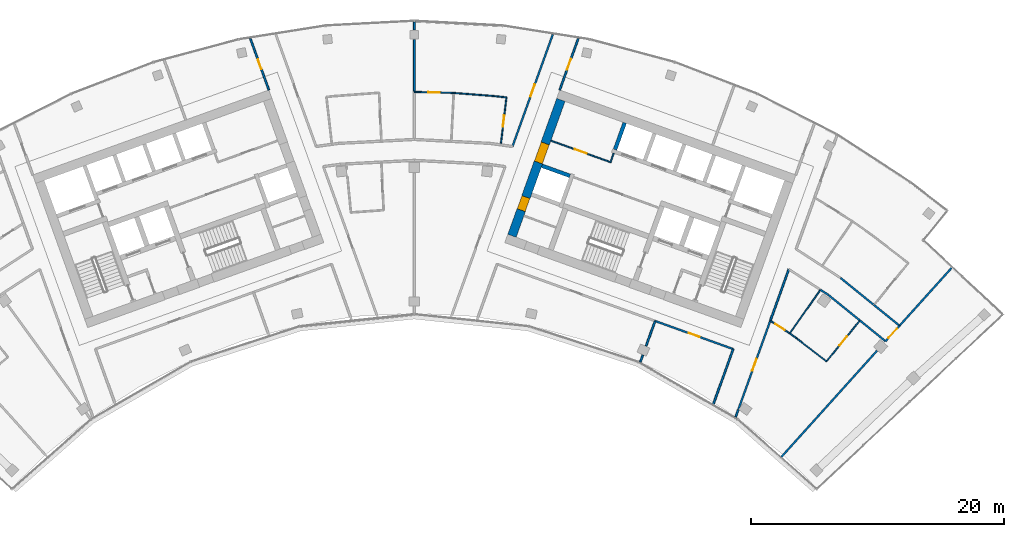
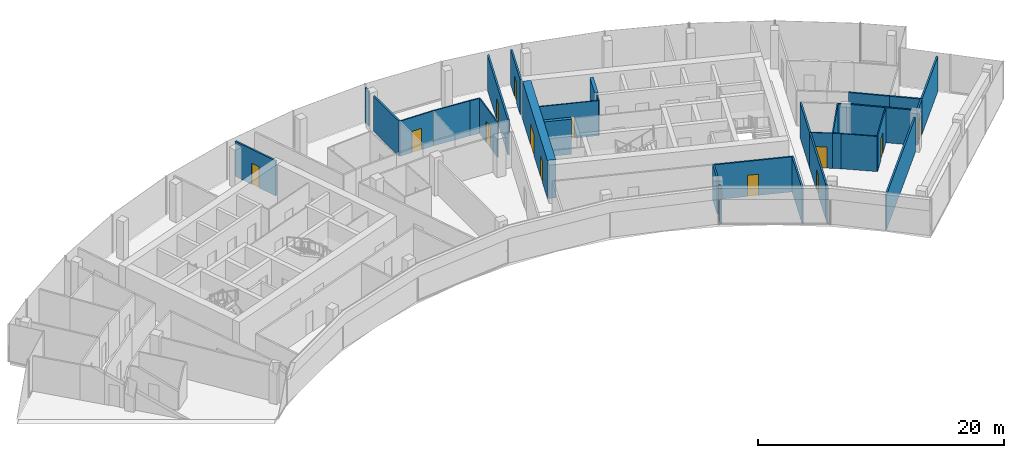
# One storey, part 15 of 18: 34 walls, 13 doors, 13 openings.
"""IFC4 building model written with IfcOpenShell, lengths in metres."""

import ifcopenshell
import ifcopenshell.guid

model = None  # the IFC model being written
_history = None  # IfcOwnerHistory: only IFC2X3 demands one
_inside = {}  # id of a spatial element -> (the spatial element, [elements in it])
_under = {}  # id of a project, library or spatial element -> (it, [spatial elements below it])
_declared = {}  # id of a project -> (the project, [libraries it declares])
_typed = {}  # id of a type object -> (the type object, [elements of that type])
_made_of = {}  # id of a material, layer set ... -> (it, [elements and type objects made of it])


def new_model(schema):
    """Start an empty IFC model of exactly this schema.

    Asked for "IFC4X3", IfcOpenShell would pick the latest addendum, in which some entities
    have other attributes; the version numbers below select the first issue.
    IFC2X3 requires an IfcOwnerHistory on every rooted entity: one is made here for all.
    """
    global model, _history
    if schema == "IFC4X3":
        model = ifcopenshell.file(schema_version=(4, 3, 0, 0))
    else:
        model = ifcopenshell.file(schema=schema)
    _inside.clear()
    _under.clear()
    _declared.clear()
    _typed.clear()
    _made_of.clear()
    _history = None
    if model.schema == "IFC2X3":
        org = make("IfcOrganization", Name="unknown")
        user = make(
            "IfcPersonAndOrganization",
            ThePerson=make("IfcPerson", FamilyName="unknown"),
            TheOrganization=org,
        )
        app = make(
            "IfcApplication",
            ApplicationDeveloper=org,
            Version="unknown",
            ApplicationFullName="unknown",
            ApplicationIdentifier="unknown",
        )
        _history = make(
            "IfcOwnerHistory",
            OwningUser=user,
            OwningApplication=app,
            ChangeAction="ADDED",
            CreationDate=0,
        )
    return model


def make(cls, **values):
    """One entity of the class cls with the attributes given. An attribute that is None is left unset."""
    return model.create_entity(
        cls, **{name: value for name, value in values.items() if value is not None}
    )


def rooted(cls, **values):
    """An entity with a GlobalId (a new one), such as an element, a storey or a relation."""
    return make(cls, GlobalId=ifcopenshell.guid.new(), OwnerHistory=_history, **values)


def si_unit(unit_type, name, prefix=None):
    """IfcSIUnit, for example si_unit("LENGTHUNIT", "METRE", prefix="MILLI")."""
    return make("IfcSIUnit", UnitType=unit_type, Prefix=prefix, Name=name)


def assignment(units):
    """IfcUnitAssignment: the units of a project."""
    return None if units is None else make("IfcUnitAssignment", Units=units)


def point(xyz):
    """IfcCartesianPoint."""
    return None if xyz is None else make("IfcCartesianPoint", Coordinates=xyz)


def direction(xyz):
    """IfcDirection."""
    return None if xyz is None else make("IfcDirection", DirectionRatios=xyz)


def frame(location, z_axis=None, x_axis=None):
    """IfcAxis2Placement3D, a coordinate frame: its origin and axes. An axis left out is left unset."""
    return make(
        "IfcAxis2Placement3D",
        Location=point(location),
        Axis=direction(z_axis),
        RefDirection=direction(x_axis),
    )


def frame_2d(location, x_axis=None):
    """IfcAxis2Placement2D, a coordinate frame in the plane: its origin and x axis."""
    return make(
        "IfcAxis2Placement2D", Location=point(location), RefDirection=direction(x_axis)
    )


def origin():
    """The frame at (0, 0, 0) with its axes left unset."""
    return frame((0.0, 0.0, 0.0))


def place(relative_to, where):
    """IfcLocalPlacement: puts the frame where relative to a parent placement (None: the world)."""
    return make(
        "IfcLocalPlacement", PlacementRelTo=relative_to, RelativePlacement=where
    )


def context(
    kind, dimensions, precision=None, world=None, true_north=None, identifier=None
):
    """IfcGeometricRepresentationContext, for example the 3D "Model" context."""
    return make(
        "IfcGeometricRepresentationContext",
        ContextIdentifier=identifier,
        ContextType=kind,
        CoordinateSpaceDimension=dimensions,
        Precision=precision,
        WorldCoordinateSystem=world,
        TrueNorth=true_north,
    )


def subcontext(parent, identifier, kind, view, scale=None):
    """IfcGeometricRepresentationSubContext, for example "Body" below "Model"."""
    return make(
        "IfcGeometricRepresentationSubContext",
        ContextIdentifier=identifier,
        ContextType=kind,
        ParentContext=parent,
        TargetScale=scale,
        TargetView=view,
    )


def project(units=None, contexts=None):
    """IfcProject with its units and contexts."""
    return rooted(
        "IfcProject",
        Name="project",
        RepresentationContexts=contexts,
        UnitsInContext=assignment(units),
    )


def spatial(cls, under=None, at=None, **own):
    """A site, building, storey or space (cls), placed at a placement, below another one or the project."""
    s = rooted(cls, ObjectPlacement=at, **own)
    if under is not None:
        _under.setdefault(under.id(), (under, []))[1].append(s)
    return s


def profile(cls, at=None, kind="AREA", **sizes):
    """A parametric profile (cls). Its sizes go by their IFC names, for example OverallWidth=200.0."""
    return make(cls, ProfileType=kind, Position=at, **sizes)


def rectangle(**sizes):
    """IfcRectangleProfileDef."""
    return profile("IfcRectangleProfileDef", **sizes)


def extrude(swept, where, along, depth):
    """IfcExtrudedAreaSolid: the profile swept, set in the frame where, extruded along a direction by depth."""
    return make(
        "IfcExtrudedAreaSolid",
        SweptArea=swept,
        Position=where,
        ExtrudedDirection=direction(along),
        Depth=depth,
    )


def shape(context_of_items, identifier, shape_type, items):
    """IfcShapeRepresentation: the items that make up one representation, for example the "Body"."""
    return make(
        "IfcShapeRepresentation",
        ContextOfItems=context_of_items,
        RepresentationIdentifier=identifier,
        RepresentationType=shape_type,
        Items=items,
    )


def material(Name=None, Category=None):
    """IfcMaterial."""
    return make("IfcMaterial", Name=Name, Category=Category)


def layer(
    of_material, thickness, ventilated=None, Name=None, Category=None, Priority=None
):
    """IfcMaterialLayer: one layer of a wall or slab, of a material (None: an air gap)."""
    return make(
        "IfcMaterialLayer",
        Material=of_material,
        LayerThickness=thickness,
        IsVentilated=ventilated,
        Name=Name,
        Category=Category,
        Priority=Priority,
    )


def layer_set(layers, Name=None):
    """IfcMaterialLayerSet."""
    return make("IfcMaterialLayerSet", MaterialLayers=layers, LayerSetName=Name)


def made_of(thing, what):
    """Note that an element or type object is made of a material, layer set ...; save() writes the relation."""
    if what is not None:
        _made_of.setdefault(what.id(), (what, []))[1].append(thing)
    return thing


def type_object(cls, material=None, **own):
    """A type object (cls), such as IfcWallType, which elements share."""
    return made_of(rooted(cls, **own), material)


def element(
    cls,
    number,
    at=None,
    inside=None,
    cuts=None,
    type_object=None,
    material=None,
    context=None,
    identifier="Body",
    shape_type=None,
    held_by="IfcProductDefinitionShape",
    body=None,
    shapes=None,
    **own,
):
    """One element of the class cls, such as IfcWall. Its Tag is "e" and its number.

    at: its placement. inside: the storey or other place that contains it. cuts: it is an
    opening in that element (IfcRelVoidsElement). A single representation is given by context,
    identifier, shape_type and body (its items); several are given by shapes. held_by: the class
    of the entity that holds the representations. save() writes the other relations.
    """
    e = rooted(cls, Tag="e%d" % number, ObjectPlacement=at, **own)
    if body is not None:
        shapes = [shape(context, identifier, shape_type, body)]
    if shapes is not None:
        e.Representation = make(held_by, Representations=shapes)
    if inside is not None:
        _inside.setdefault(inside.id(), (inside, []))[1].append(e)
    if cuts is not None:
        rooted(
            "IfcRelVoidsElement", RelatingBuildingElement=cuts, RelatedOpeningElement=e
        )
    if type_object is not None:
        _typed.setdefault(type_object.id(), (type_object, []))[1].append(e)
    return made_of(e, material)


def fill(opening, filler):
    """IfcRelFillsElement: the door or window that sits in an opening."""
    return rooted(
        "IfcRelFillsElement",
        RelatingOpeningElement=opening,
        RelatedBuildingElement=filler,
    )


def aggregate(whole, parts):
    """IfcRelAggregates: a whole, such as a stair, and the parts it consists of."""
    return rooted("IfcRelAggregates", RelatingObject=whole, RelatedObjects=parts)


def save(model, path):
    """Write the relations noted so far, then the file.

    IfcRelAggregates (storeys below a building ...), IfcRelContainedInSpatialStructure (elements
    in a storey), IfcRelDefinesByType, IfcRelAssociatesMaterial and IfcRelDeclares: one each for
    every whole, place, type object, material and project.
    """
    for whole, parts in _under.values():
        aggregate(whole, parts)
    for where, things in _inside.values():
        rooted(
            "IfcRelContainedInSpatialStructure",
            RelatedElements=things,
            RelatingStructure=where,
        )
    for kind, things in _typed.values():
        rooted("IfcRelDefinesByType", RelatedObjects=things, RelatingType=kind)
    for what, things in _made_of.values():
        rooted("IfcRelAssociatesMaterial", RelatedObjects=things, RelatingMaterial=what)
    for by, libraries in _declared.values():
        rooted("IfcRelDeclares", RelatingContext=by, RelatedDefinitions=libraries)
    model.write(path)


model = new_model("IFC4")

# Units and contexts
model_context = context("Model", 3, precision=1e-05, world=origin(), true_north=direction((0.0, 1.0)))
body_context = subcontext(model_context, "Body", "Model", "MODEL_VIEW")
ifc_project = project(units=[si_unit("LENGTHUNIT", "METRE"), si_unit("AREAUNIT", "SQUARE_METRE"), si_unit("VOLUMEUNIT", "CUBIC_METRE"), si_unit("PLANEANGLEUNIT", "RADIAN"), si_unit("MASSUNIT", "GRAM", prefix="KILO")], contexts=[model_context])

# Site, building, storey
site_placement = place(None, origin())
site = spatial("IfcSite", under=ifc_project, at=site_placement, CompositionType="ELEMENT")
building_placement = place(site_placement, origin())
building = spatial("IfcBuilding", under=site, at=building_placement, Name="Stone Belt Terrace Tower", CompositionType="ELEMENT")
storey_placement = place(building_placement, frame((0.0, 0.0, 288.39990234375)))
storey = spatial("IfcBuildingStorey", under=building, at=storey_placement, Name="L70", CompositionType="ELEMENT", Elevation=288.39990234375)

# Wall
ifc_material_1 = material(Name="Plasterboard partition")
ifc_layer_1 = layer(ifc_material_1, 0.10009765625)
ifc_layer_set_1 = layer_set([ifc_layer_1], Name="Core partition 100")
wall_type_1 = type_object("IfcWallType", Name="Core partition 100", PredefinedType="PARTITIONING", material=ifc_layer_set_1)
wall_1_placement = place(storey_placement, frame((15.46826171875, 55.384033203125, 0.0), z_axis=(0.0, 0.0, 1.0), x_axis=(0.338481684961, 0.940972979923, 0.0)))
element("IfcWall", 1, at=wall_1_placement, inside=storey, type_object=wall_type_1, Name="Core B wall", PredefinedType="PARTITIONING", context=body_context, shape_type="SweptSolid", body=[
    extrude(rectangle(XDim=0.7998046875, YDim=0.10009765625, at=frame_2d((0.39990234375, 0.0))), origin(), (0.0, 0.0, 1.0), 3.47998046875),
])

# Wall, opening, door
wall_2_placement = place(storey_placement, frame((15.43798828125, 55.447998046875, 0.0), z_axis=(0.0, 0.0, 1.0), x_axis=(-0.940914445113, 0.338644366522, 0.0)))
wall_2 = element("IfcWall", 2, at=wall_2_placement, inside=storey, type_object=wall_type_1, Name="Core B wall", PredefinedType="PARTITIONING", context=body_context, shape_type="SweptSolid", body=[
    extrude(rectangle(XDim=4.949951171875, YDim=0.10009765625, at=frame_2d((2.47509765625, 0.0))), origin(), (0.0, 0.0, 1.0), 3.47998046875),
])
opening_1_placement = place(wall_2_placement, frame((1.949951171875, 0.0, 0.0)))
opening_1 = element("IfcOpeningElement", 3, at=opening_1_placement, cuts=wall_2, Name="Opening L70-C12", PredefinedType="OPENING", context=body_context, shape_type="SweptSolid", body=[
    extrude(rectangle(XDim=1.0, YDim=2.10009765625, at=frame_2d((0.5, 1.050048828125))), frame((0.0, 0.06005859375, 0.0), z_axis=(0.0, -1.0, 0.0), x_axis=(1.0, 0.0, 0.0)), (0.0, 0.0, 1.0), 0.1201171875),
])
ifc_material_2 = material(Name="Timber door leaf", Category="wood")
door_type_1 = type_object("IfcDoorType", Name="Core room door 1000", OperationType="SINGLE_SWING_LEFT", PredefinedType="DOOR", material=ifc_material_2)
door_1_placement = place(opening_1_placement, origin())
door_1 = element("IfcDoor", 4, at=door_1_placement, inside=storey, type_object=door_type_1, Name="Door to Server room core B", OperationType="SINGLE_SWING_LEFT", OverallHeight=2.10009765625, OverallWidth=1.0, PredefinedType="DOOR", context=body_context, shape_type="SweptSolid", body=[
    extrude(rectangle(XDim=1.0, YDim=2.10009765625, at=frame_2d((0.5, 1.050048828125))), frame((0.0, 0.02490234375, 0.0), z_axis=(0.0, -1.0, 0.0), x_axis=(1.0, 0.0, 0.0)), (0.0, 0.0, 1.0), 0.050048828125),
])
fill(opening_1, door_1)

# Wall, openings, doors
ifc_material_3 = material(Name="Concrete B60", Category="concrete")
ifc_layer_2 = layer(ifc_material_3, 0.699951171875)
ifc_layer_set_2 = layer_set([ifc_layer_2], Name="Core wall 700 B60")
wall_type_2 = type_object("IfcWallType", Name="Core wall 700 B60", PredefinedType="SHEAR", material=ifc_layer_set_2)
wall_3_placement = place(storey_placement, frame((7.70849609375, 49.621337890625, 0.0), z_axis=(0.0, 0.0, 1.0), x_axis=(0.338606471282, 0.940928083121, 0.0)))
wall_3 = element("IfcWall", 5, at=wall_3_placement, inside=storey, type_object=wall_type_2, Name="Core B wall end_a L70", PredefinedType="SHEAR", context=body_context, shape_type="SweptSolid", body=[
    extrude(rectangle(XDim=11.39990234375, YDim=0.699951171875, at=frame_2d((5.699951171875, 0.0))), origin(), (0.0, 0.0, 1.0), 3.800048828125),
])
opening_2_placement = place(wall_3_placement, frame((6.14990234375, 0.0, 0.0)))
opening_2 = element("IfcOpeningElement", 6, at=opening_2_placement, cuts=wall_3, Name="Opening L70-C15", PredefinedType="OPENING", context=body_context, shape_type="SweptSolid", body=[
    extrude(rectangle(XDim=1.60009765625, YDim=2.10009765625, at=frame_2d((0.800048828125, 1.050048828125))), frame((0.0, 0.35986328125, 0.0), z_axis=(0.0, -1.0, 0.0), x_axis=(1.0, 0.0, 0.0)), (0.0, 0.0, 1.0), 0.719970703125),
])
opening_3_placement = place(wall_3_placement, frame((2.14990234375, 0.0, 0.0)))
opening_3 = element("IfcOpeningElement", 7, at=opening_3_placement, cuts=wall_3, Name="Opening L70-C21", PredefinedType="OPENING", context=body_context, shape_type="SweptSolid", body=[
    extrude(rectangle(XDim=1.10009765625, YDim=2.10009765625, at=frame_2d((0.550048828125, 1.050048828125))), frame((0.0, 0.35986328125, 0.0), z_axis=(0.0, -1.0, 0.0), x_axis=(1.0, 0.0, 0.0)), (0.0, 0.0, 1.0), 0.719970703125),
])
door_type_2 = type_object("IfcDoorType", Name="Core room door 1100", OperationType="SINGLE_SWING_LEFT", PredefinedType="DOOR", material=ifc_material_2)
door_2_placement = place(opening_3_placement, origin())
door_2 = element("IfcDoor", 8, at=door_2_placement, inside=storey, type_object=door_type_2, Name="Door to Accessible WC core B", OperationType="SINGLE_SWING_RIGHT", OverallHeight=2.10009765625, OverallWidth=1.10009765625, PredefinedType="DOOR", context=body_context, shape_type="SweptSolid", body=[
    extrude(rectangle(XDim=1.10009765625, YDim=2.10009765625, at=frame_2d((0.550048828125, 1.050048828125))), frame((0.0, 0.330078125, 0.0), z_axis=(0.0, -1.0, 0.0), x_axis=(1.0, 0.0, 0.0)), (0.0, 0.0, 1.0), 0.659912109375),
])
fill(opening_3, door_2)
ifc_material_4 = material(Name="Glazed aluminium door leaf", Category="aluminium")
door_type_3 = type_object("IfcDoorType", Name="Lift lobby entrance door 1600", OperationType="DOUBLE_DOOR_SINGLE_SWING", PredefinedType="DOOR", material=ifc_material_4)
door_3_placement = place(opening_2_placement, origin())
door_3 = element("IfcDoor", 9, at=door_3_placement, inside=storey, type_object=door_type_3, Name="Lift lobby entrance door core B", OperationType="DOUBLE_DOOR_SINGLE_SWING", OverallHeight=2.10009765625, OverallWidth=1.60009765625, PredefinedType="DOOR", context=body_context, shape_type="SweptSolid", body=[
    extrude(rectangle(XDim=1.60009765625, YDim=2.10009765625, at=frame_2d((0.800048828125, 1.050048828125))), frame((0.0, 0.330078125, 0.0), z_axis=(0.0, -1.0, 0.0), x_axis=(1.0, 0.0, 0.0)), (0.0, 0.0, 1.0), 0.659912109375),
])
fill(opening_2, door_3)

# Walls
ifc_material_5 = material(Name="Concrete B80", Category="concrete")
ifc_layer_3 = layer(ifc_material_5, 0.300048828125)
ifc_layer_set_3 = layer_set([ifc_layer_3], Name="Lift shaft wall 300")
wall_type_3 = type_object("IfcWallType", Name="Lift shaft wall 300", PredefinedType="SHEAR", material=ifc_layer_set_3)
wall_4_placement = place(storey_placement, frame((15.8408203125, 56.419189453125, 0.0), z_axis=(0.0, 0.0, 1.0), x_axis=(0.338569601369, 0.940941350472, 0.0)))
element("IfcWall", 10, at=wall_4_placement, inside=storey, type_object=wall_type_3, Name="Core B wall", PredefinedType="SHEAR", context=body_context, shape_type="SweptSolid", body=[
    extrude(rectangle(XDim=2.249755859375, YDim=0.300048828125, at=frame_2d((1.125, 0.0))), origin(), (0.0, 0.0, 1.0), 3.47998046875),
])
wall_5_placement = place(storey_placement, frame((12.280517578125, 54.3525390625, 0.0), z_axis=(0.0, 0.0, 1.0), x_axis=(-0.940925816745, 0.338612769078, 0.0)))
element("IfcWall", 11, at=wall_5_placement, inside=storey, type_object=wall_type_3, Name="Core B wall", PredefinedType="SHEAR", context=body_context, shape_type="SweptSolid", body=[
    extrude(rectangle(XDim=2.349853515625, YDim=0.300048828125, at=frame_2d((1.1748046875, 0.0))), origin(), (0.0, 0.0, 1.0), 3.47998046875),
])

# Wall, opening, door
ifc_material_6 = material(Name="Gypsum board partition")
ifc_layer_4 = layer(ifc_material_6, 0.10009765625)
ifc_layer_set_4 = layer_set([ifc_layer_4], Name="PARTITION 100")
wall_type_4 = type_object("IfcWallType", Name="PARTITION 100", PredefinedType="PARTITIONING", material=ifc_layer_set_4)
wall_6_placement = place(storey_placement, frame((28.093017578125, 42.9208984375, 0.0), z_axis=(0.0, 0.0, 1.0), x_axis=(0.836665899721, -0.547713585958, 0.0)))
wall_6 = element("IfcWall", 12, at=wall_6_placement, inside=storey, type_object=wall_type_4, Name="L70/wall/i069", PredefinedType="PARTITIONING", context=body_context, shape_type="SweptSolid", body=[
    extrude(rectangle(XDim=1.82763671875, YDim=0.10009765625, at=frame_2d((0.913818359375, 0.0))), origin(), (0.0, 0.0, 1.0), 3.47998046875),
])
opening_4_placement = place(wall_6_placement, frame((0.4638671875, 0.0, 0.0)))
opening_4 = element("IfcOpeningElement", 13, at=opening_4_placement, cuts=wall_6, Name="Opening D-E3-19", PredefinedType="OPENING", context=body_context, shape_type="SweptSolid", body=[
    extrude(rectangle(XDim=0.89990234375, YDim=2.10009765625, at=frame_2d((0.449951171875, 1.050048828125))), frame((0.0, 0.06005859375, 0.0), z_axis=(0.0, -1.0, 0.0), x_axis=(1.0, 0.0, 0.0)), (0.0, 0.0, 1.0), 0.1201171875),
])
door_type_4 = type_object("IfcDoorType", Name="OFFICE DOOR 900 X 2100", OperationType="NOTDEFINED", PredefinedType="DOOR", material=ifc_material_2)
door_4_placement = place(opening_4_placement, origin())
door_4 = element("IfcDoor", 14, at=door_4_placement, inside=storey, type_object=door_type_4, Name="L70/door/i19", OperationType="SINGLE_SWING_RIGHT", OverallHeight=2.10009765625, OverallWidth=0.89990234375, PredefinedType="DOOR", context=body_context, shape_type="SweptSolid", body=[
    extrude(rectangle(XDim=0.89990234375, YDim=2.10009765625, at=frame_2d((0.449951171875, 1.050048828125))), frame((0.0, 0.02490234375, 0.0), z_axis=(0.0, -1.0, 0.0), x_axis=(1.0, 0.0, 0.0)), (0.0, 0.0, 1.0), 0.050048828125),
])
fill(opening_4, door_4)

# Walls
wall_7_placement = place(storey_placement, frame((29.6220703125, 41.919921875, 0.0), z_axis=(0.0, 0.0, 1.0), x_axis=(0.813170941338, -0.582024930878, 0.0)))
element("IfcWall", 15, at=wall_7_placement, inside=storey, type_object=wall_type_4, Name="L70/wall/i070", PredefinedType="PARTITIONING", context=body_context, shape_type="SweptSolid", body=[
    extrude(rectangle(XDim=0.6748046875, YDim=0.10009765625, at=frame_2d((0.33740234375, 0.0))), origin(), (0.0, 0.0, 1.0), 3.47998046875),
])
wall_8_placement = place(storey_placement, frame((30.1708984375, 41.527099609375, 0.0), z_axis=(0.0, 0.0, 1.0), x_axis=(0.791624473006, -0.611007932631, 0.0)))
element("IfcWall", 16, at=wall_8_placement, inside=storey, type_object=wall_type_4, Name="L70/wall/i071", PredefinedType="PARTITIONING", context=body_context, shape_type="SweptSolid", body=[
    extrude(rectangle(XDim=2.972412109375, YDim=0.10009765625, at=frame_2d((1.486328125, 0.0))), origin(), (0.0, 0.0, 1.0), 3.47998046875),
])

# Wall, opening, door
wall_9_placement = place(storey_placement, frame((32.52392578125, 39.7109375, 0.0), z_axis=(0.0, 0.0, 1.0), x_axis=(0.633607556463, 0.7736546157, 0.0)))
wall_9 = element("IfcWall", 17, at=wall_9_placement, inside=storey, type_object=wall_type_4, Name="L70/wall/i072", PredefinedType="PARTITIONING", context=body_context, shape_type="SweptSolid", body=[
    extrude(rectangle(XDim=4.169921875, YDim=0.10009765625, at=frame_2d((2.0849609375, 0.0))), origin(), (0.0, 0.0, 1.0), 3.47998046875),
])
opening_5_placement = place(wall_9_placement, frame((1.635009765625, 0.0, 0.0)))
opening_5 = element("IfcOpeningElement", 18, at=opening_5_placement, cuts=wall_9, Name="Opening D-E3-20", PredefinedType="OPENING", context=body_context, shape_type="SweptSolid", body=[
    extrude(rectangle(XDim=0.89990234375, YDim=2.10009765625, at=frame_2d((0.449951171875, 1.050048828125))), frame((0.0, 0.06005859375, 0.0), z_axis=(0.0, -1.0, 0.0), x_axis=(1.0, 0.0, 0.0)), (0.0, 0.0, 1.0), 0.1201171875),
])
door_5_placement = place(opening_5_placement, origin())
door_5 = element("IfcDoor", 19, at=door_5_placement, inside=storey, type_object=door_type_4, Name="L70/door/i20", OperationType="SINGLE_SWING_RIGHT", OverallHeight=2.10009765625, OverallWidth=0.89990234375, PredefinedType="DOOR", context=body_context, shape_type="SweptSolid", body=[
    extrude(rectangle(XDim=0.89990234375, YDim=2.10009765625, at=frame_2d((0.449951171875, 1.050048828125))), frame((0.0, 0.02490234375, 0.0), z_axis=(0.0, -1.0, 0.0), x_axis=(1.0, 0.0, 0.0)), (0.0, 0.0, 1.0), 0.050048828125),
])
fill(opening_5, door_5)

# Wall
wall_10_placement = place(storey_placement, frame((32.052001953125, 45.35888671875, 0.0), z_axis=(0.0, 0.0, 1.0), x_axis=(-0.577067832251, -0.816696220746, 0.0)))
element("IfcWall", 20, at=wall_10_placement, inside=storey, type_object=wall_type_4, Name="L70/wall/i073", PredefinedType="PARTITIONING", context=body_context, shape_type="SweptSolid", body=[
    extrude(rectangle(XDim=4.2109375, YDim=0.10009765625, at=frame_2d((2.10546875, 0.0))), origin(), (0.0, 0.0, 1.0), 3.47998046875),
])

# Wall, opening, door
wall_11_placement = place(storey_placement, frame((3.111083984375, 60.89404296875, 0.0), z_axis=(0.0, 0.0, 1.0), x_axis=(-0.999678913183, 0.025339110803, 0.0)))
wall_11 = element("IfcWall", 21, at=wall_11_placement, inside=storey, type_object=wall_type_4, Name="L70/wall/i106", PredefinedType="PARTITIONING", context=body_context, shape_type="SweptSolid", body=[
    extrude(rectangle(XDim=3.112060546875, YDim=0.10009765625, at=frame_2d((1.55615234375, 0.0))), origin(), (0.0, 0.0, 1.0), 3.47998046875),
])
opening_6_placement = place(wall_11_placement, frame((1.10595703125, 0.0, 0.0)))
opening_6 = element("IfcOpeningElement", 22, at=opening_6_placement, cuts=wall_11, Name="Opening D-E3-30", PredefinedType="OPENING", context=body_context, shape_type="SweptSolid", body=[
    extrude(rectangle(XDim=0.89990234375, YDim=2.10009765625, at=frame_2d((0.449951171875, 1.050048828125))), frame((0.0, 0.06005859375, 0.0), z_axis=(0.0, -1.0, 0.0), x_axis=(1.0, 0.0, 0.0)), (0.0, 0.0, 1.0), 0.1201171875),
])
door_6_placement = place(opening_6_placement, origin())
door_6 = element("IfcDoor", 23, at=door_6_placement, inside=storey, type_object=door_type_4, Name="L70/door/i30", OperationType="SINGLE_SWING_RIGHT", OverallHeight=2.10009765625, OverallWidth=0.89990234375, PredefinedType="DOOR", context=body_context, shape_type="SweptSolid", body=[
    extrude(rectangle(XDim=0.89990234375, YDim=2.10009765625, at=frame_2d((0.449951171875, 1.050048828125))), frame((0.0, 0.02490234375, 0.0), z_axis=(0.0, -1.0, 0.0), x_axis=(1.0, 0.0, 0.0)), (0.0, 0.0, 1.0), 0.050048828125),
])
fill(opening_6, door_6)

wall_12_placement = place(storey_placement, frame((6.822998046875, 56.797119140625, 0.0), z_axis=(0.0, 0.0, 1.0), x_axis=(0.119160550979, 0.992874998724, 0.0)))
wall_12 = element("IfcWall", 24, at=wall_12_placement, inside=storey, type_object=wall_type_4, Name="L70/wall/i107", PredefinedType="PARTITIONING", context=body_context, shape_type="SweptSolid", body=[
    extrude(rectangle(XDim=3.767822265625, YDim=0.10009765625, at=frame_2d((1.8837890625, 0.0))), origin(), (0.0, 0.0, 1.0), 3.47998046875),
])
opening_7_placement = place(wall_12_placement, frame((1.433837890625, 0.0, 0.0)))
opening_7 = element("IfcOpeningElement", 25, at=opening_7_placement, cuts=wall_12, Name="Opening D-E3-31", PredefinedType="OPENING", context=body_context, shape_type="SweptSolid", body=[
    extrude(rectangle(XDim=0.89990234375, YDim=2.10009765625, at=frame_2d((0.449951171875, 1.050048828125))), frame((0.0, 0.06005859375, 0.0), z_axis=(0.0, -1.0, 0.0), x_axis=(1.0, 0.0, 0.0)), (0.0, 0.0, 1.0), 0.1201171875),
])
door_7_placement = place(opening_7_placement, origin())
door_7 = element("IfcDoor", 26, at=door_7_placement, inside=storey, type_object=door_type_4, Name="L70/door/i31", OperationType="SINGLE_SWING_RIGHT", OverallHeight=2.10009765625, OverallWidth=0.89990234375, PredefinedType="DOOR", context=body_context, shape_type="SweptSolid", body=[
    extrude(rectangle(XDim=0.89990234375, YDim=2.10009765625, at=frame_2d((0.449951171875, 1.050048828125))), frame((0.0, 0.02490234375, 0.0), z_axis=(0.0, -1.0, 0.0), x_axis=(1.0, 0.0, 0.0)), (0.0, 0.0, 1.0), 0.050048828125),
])
fill(opening_7, door_7)

# Walls
wall_13_placement = place(storey_placement, frame((7.27197265625, 60.5380859375, 0.0), z_axis=(0.0, 0.0, 1.0), x_axis=(-0.993767993103, 0.111468272991, 0.0)))
element("IfcWall", 27, at=wall_13_placement, inside=storey, type_object=wall_type_4, Name="L70/wall/i108", PredefinedType="PARTITIONING", context=body_context, shape_type="SweptSolid", body=[
    extrude(rectangle(XDim=0.904541015625, YDim=0.10009765625, at=frame_2d((0.4521484375, 0.0))), origin(), (0.0, 0.0, 1.0), 3.47998046875),
])
wall_14_placement = place(storey_placement, frame((6.373046875, 60.638916015625, 0.0), z_axis=(0.0, 0.0, 1.0), x_axis=(-0.996955347629, 0.077974578121, 0.0)))
element("IfcWall", 28, at=wall_14_placement, inside=storey, type_object=wall_type_4, Name="L70/wall/i109", PredefinedType="PARTITIONING", context=body_context, shape_type="SweptSolid", body=[
    extrude(rectangle(XDim=3.27197265625, YDim=0.10009765625, at=frame_2d((1.635986328125, 0.0))), origin(), (0.0, 0.0, 1.0), 3.47998046875),
])

# Wall, opening, door
ifc_layer_5 = layer(ifc_material_6, 0.14990234375)
ifc_layer_set_5 = layer_set([ifc_layer_5], Name="PARTITION 150 EI 60")
wall_type_5 = type_object("IfcWallType", Name="PARTITION 150 EI 60", PredefinedType="PARTITIONING", material=ifc_layer_set_5)
wall_15_placement = place(storey_placement, frame((-11.47607421875, 61.125, 0.0), z_axis=(0.0, 0.0, 1.0), x_axis=(-0.338707450319, 0.940891738245, 0.0)))
wall_15 = element("IfcWall", 29, at=wall_15_placement, inside=storey, type_object=wall_type_5, Name="L70/wall/i010", PredefinedType="PARTITIONING", context=body_context, shape_type="SweptSolid", body=[
    extrude(rectangle(XDim=4.316162109375, YDim=0.14990234375, at=frame_2d((2.158203125, 0.0))), origin(), (0.0, 0.0, 1.0), 3.47998046875),
])
opening_8_placement = place(wall_15_placement, frame((1.758056640625, 0.0, 0.0)))
opening_8 = element("IfcOpeningElement", 30, at=opening_8_placement, cuts=wall_15, Name="Opening D-E3-04", PredefinedType="OPENING", context=body_context, shape_type="SweptSolid", body=[
    extrude(rectangle(XDim=0.800048828125, YDim=2.10009765625, at=frame_2d((0.39990234375, 1.050048828125))), frame((0.0, 0.0849609375, 0.0), z_axis=(0.0, -1.0, 0.0), x_axis=(1.0, 0.0, 0.0)), (0.0, 0.0, 1.0), 0.169921875),
])
door_type_5 = type_object("IfcDoorType", Name="STORE DOOR 800 X 2100", OperationType="NOTDEFINED", PredefinedType="DOOR", material=ifc_material_2)
door_8_placement = place(opening_8_placement, origin())
door_8 = element("IfcDoor", 31, at=door_8_placement, inside=storey, type_object=door_type_5, Name="L70/door/i04", OperationType="SINGLE_SWING_RIGHT", OverallHeight=2.10009765625, OverallWidth=0.800048828125, PredefinedType="DOOR", context=body_context, shape_type="SweptSolid", body=[
    extrude(rectangle(XDim=0.800048828125, YDim=2.10009765625, at=frame_2d((0.39990234375, 1.050048828125))), frame((0.0, 0.02490234375, 0.0), z_axis=(0.0, -1.0, 0.0), x_axis=(1.0, 0.0, 0.0)), (0.0, 0.0, 1.0), 0.050048828125),
])
fill(opening_8, door_8)

wall_16_placement = place(storey_placement, frame((12.93798828125, 65.18603515625, 0.0), z_axis=(0.0, 0.0, 1.0), x_axis=(-0.338707450319, -0.940891738245, 0.0)))
wall_16 = element("IfcWall", 32, at=wall_16_placement, inside=storey, type_object=wall_type_5, Name="L70/wall/i018", PredefinedType="PARTITIONING", context=body_context, shape_type="SweptSolid", body=[
    extrude(rectangle(XDim=4.316162109375, YDim=0.14990234375, at=frame_2d((2.158203125, 0.0))), origin(), (0.0, 0.0, 1.0), 3.47998046875),
])
opening_9_placement = place(wall_16_placement, frame((1.7080078125, 0.0, 0.0)))
opening_9 = element("IfcOpeningElement", 33, at=opening_9_placement, cuts=wall_16, Name="Opening D-E3-07", PredefinedType="OPENING", context=body_context, shape_type="SweptSolid", body=[
    extrude(rectangle(XDim=0.89990234375, YDim=2.10009765625, at=frame_2d((0.449951171875, 1.050048828125))), frame((0.0, 0.0849609375, 0.0), z_axis=(0.0, -1.0, 0.0), x_axis=(1.0, 0.0, 0.0)), (0.0, 0.0, 1.0), 0.169921875),
])
door_9_placement = place(opening_9_placement, origin())
door_9 = element("IfcDoor", 34, at=door_9_placement, inside=storey, type_object=door_type_4, Name="L70/door/i07", OperationType="SINGLE_SWING_RIGHT", OverallHeight=2.10009765625, OverallWidth=0.89990234375, PredefinedType="DOOR", context=body_context, shape_type="SweptSolid", body=[
    extrude(rectangle(XDim=0.89990234375, YDim=2.10009765625, at=frame_2d((0.449951171875, 1.050048828125))), frame((0.0, 0.02490234375, 0.0), z_axis=(0.0, -1.0, 0.0), x_axis=(1.0, 0.0, 0.0)), (0.0, 0.0, 1.0), 0.050048828125),
])
fill(opening_9, door_9)

wall_17_placement = place(storey_placement, frame((7.7451171875, 56.6640625, 0.0), z_axis=(0.0, 0.0, 1.0), x_axis=(0.338644933311, 0.94091424112, 0.0)))
wall_17 = element("IfcWall", 35, at=wall_17_placement, inside=storey, type_object=wall_type_5, Name="L70/wall/i020", PredefinedType="PARTITIONING", context=body_context, shape_type="SweptSolid", body=[
    extrude(rectangle(XDim=9.395263671875, YDim=0.14990234375, at=frame_2d((4.69775390625, 0.0))), origin(), (0.0, 0.0, 1.0), 3.47998046875),
])
opening_10_placement = place(wall_17_placement, frame((4.19775390625, 0.0, 0.0)))
opening_10 = element("IfcOpeningElement", 36, at=opening_10_placement, cuts=wall_17, Name="Opening D-E3-29", PredefinedType="OPENING", context=body_context, shape_type="SweptSolid", body=[
    extrude(rectangle(XDim=1.0, YDim=2.10009765625, at=frame_2d((0.5, 1.050048828125))), frame((0.0, 0.0849609375, 0.0), z_axis=(0.0, -1.0, 0.0), x_axis=(1.0, 0.0, 0.0)), (0.0, 0.0, 1.0), 0.169921875),
])
ifc_material_7 = material(Name="Timber fire door leaf", Category="wood")
door_type_6 = type_object("IfcDoorType", Name="TENANCY ENTRANCE DOOR 1000 X 2100", OperationType="NOTDEFINED", PredefinedType="DOOR", material=ifc_material_7)
door_10_placement = place(opening_10_placement, origin())
door_10 = element("IfcDoor", 37, at=door_10_placement, inside=storey, type_object=door_type_6, Name="L70/door/i29", OperationType="SINGLE_SWING_RIGHT", OverallHeight=2.10009765625, OverallWidth=1.0, PredefinedType="DOOR", context=body_context, shape_type="SweptSolid", body=[
    extrude(rectangle(XDim=1.0, YDim=2.10009765625, at=frame_2d((0.5, 1.050048828125))), frame((0.0, 0.02490234375, 0.0), z_axis=(0.0, -1.0, 0.0), x_axis=(1.0, 0.0, 0.0)), (0.0, 0.0, 1.0), 0.050048828125),
])
fill(opening_10, door_10)

# Wall
wall_18_placement = place(storey_placement, frame((23.5966796875, 36.330810546875, 0.0), z_axis=(0.0, 0.0, 1.0), x_axis=(0.338609342271, 0.94092704995, 0.0)))
element("IfcWall", 38, at=wall_18_placement, inside=storey, type_object=wall_type_5, Name="L70/wall/i021", PredefinedType="PARTITIONING", context=body_context, shape_type="SweptSolid", body=[
    extrude(rectangle(XDim=4.6318359375, YDim=0.14990234375, at=frame_2d((2.31591796875, 0.0))), origin(), (0.0, 0.0, 1.0), 3.47998046875),
])

# Wall, opening, door
wall_19_placement = place(storey_placement, frame((28.094970703125, 42.927001953125, 0.0), z_axis=(0.0, 0.0, 1.0), x_axis=(-0.338591381636, -0.94093351321, 0.0)))
wall_19 = element("IfcWall", 39, at=wall_19_placement, inside=storey, type_object=wall_type_5, Name="L70/wall/i023", PredefinedType="PARTITIONING", context=body_context, shape_type="SweptSolid", body=[
    extrude(rectangle(XDim=7.424560546875, YDim=0.14990234375, at=frame_2d((3.71240234375, 0.0))), origin(), (0.0, 0.0, 1.0), 3.47998046875),
])
opening_11_placement = place(wall_19_placement, frame((3.21240234375, 0.0, 0.0)))
opening_11 = element("IfcOpeningElement", 40, at=opening_11_placement, cuts=wall_19, Name="Opening D-E3-18", PredefinedType="OPENING", context=body_context, shape_type="SweptSolid", body=[
    extrude(rectangle(XDim=1.0, YDim=2.10009765625, at=frame_2d((0.5, 1.050048828125))), frame((0.0, 0.0849609375, 0.0), z_axis=(0.0, -1.0, 0.0), x_axis=(1.0, 0.0, 0.0)), (0.0, 0.0, 1.0), 0.169921875),
])
door_11_placement = place(opening_11_placement, origin())
door_11 = element("IfcDoor", 41, at=door_11_placement, inside=storey, type_object=door_type_6, Name="L70/door/i18", OperationType="SINGLE_SWING_RIGHT", OverallHeight=2.10009765625, OverallWidth=1.0, PredefinedType="DOOR", context=body_context, shape_type="SweptSolid", body=[
    extrude(rectangle(XDim=1.0, YDim=2.10009765625, at=frame_2d((0.5, 1.050048828125))), frame((0.0, 0.02490234375, 0.0), z_axis=(0.0, -1.0, 0.0), x_axis=(1.0, 0.0, 0.0)), (0.0, 0.0, 1.0), 0.050048828125),
])
fill(opening_11, door_11)

# Walls
wall_20_placement = place(storey_placement, frame((25.566162109375, 35.899658203125, 0.0), z_axis=(0.0, 0.0, 1.0), x_axis=(-0.338633814852, -0.940918242696, 0.0)))
element("IfcWall", 42, at=wall_20_placement, inside=storey, type_object=wall_type_5, Name="L70/wall/i024", PredefinedType="PARTITIONING", context=body_context, shape_type="SweptSolid", body=[
    extrude(rectangle(XDim=0.605712890625, YDim=0.14990234375, at=frame_2d((0.302734375, 0.0))), origin(), (0.0, 0.0, 1.0), 3.47998046875),
])
wall_21_placement = place(storey_placement, frame((29.556884765625, 46.987060546875, 0.0), z_axis=(0.0, 0.0, 1.0), x_axis=(-0.338697494678, -0.940895322073, 0.0)))
element("IfcWall", 43, at=wall_21_placement, inside=storey, type_object=wall_type_5, Name="L70/wall/i025", PredefinedType="PARTITIONING", context=body_context, shape_type="SweptSolid", body=[
    extrude(rectangle(XDim=4.327880859375, YDim=0.14990234375, at=frame_2d((2.1640625, 0.0))), origin(), (0.0, 0.0, 1.0), 3.47998046875),
])

# Wall, opening, door
wall_22_placement = place(storey_placement, frame((25.1630859375, 40.68310546875, 0.0), z_axis=(0.0, 0.0, 1.0), x_axis=(-0.940942008758, 0.338567771877, 0.0)))
wall_22 = element("IfcWall", 44, at=wall_22_placement, inside=storey, type_object=wall_type_5, Name="L70/wall/i030", PredefinedType="PARTITIONING", context=body_context, shape_type="SweptSolid", body=[
    extrude(rectangle(XDim=6.553955078125, YDim=0.14990234375, at=frame_2d((3.27685546875, 0.0))), origin(), (0.0, 0.0, 1.0), 3.47998046875),
])
opening_12_placement = place(wall_22_placement, frame((2.8271484375, 0.0, 0.0)))
opening_12 = element("IfcOpeningElement", 45, at=opening_12_placement, cuts=wall_22, Name="Opening D-E3-06", PredefinedType="OPENING", context=body_context, shape_type="SweptSolid", body=[
    extrude(rectangle(XDim=0.89990234375, YDim=2.10009765625, at=frame_2d((0.449951171875, 1.050048828125))), frame((0.0, 0.0849609375, 0.0), z_axis=(0.0, -1.0, 0.0), x_axis=(1.0, 0.0, 0.0)), (0.0, 0.0, 1.0), 0.169921875),
])
door_12_placement = place(opening_12_placement, origin())
door_12 = element("IfcDoor", 46, at=door_12_placement, inside=storey, type_object=door_type_4, Name="L70/door/i06", OperationType="SINGLE_SWING_RIGHT", OverallHeight=2.10009765625, OverallWidth=0.89990234375, PredefinedType="DOOR", context=body_context, shape_type="SweptSolid", body=[
    extrude(rectangle(XDim=0.89990234375, YDim=2.10009765625, at=frame_2d((0.449951171875, 1.050048828125))), frame((0.0, 0.02490234375, 0.0), z_axis=(0.0, -1.0, 0.0), x_axis=(1.0, 0.0, 0.0)), (0.0, 0.0, 1.0), 0.050048828125),
])
fill(opening_12, door_12)

# Walls
wall_23_placement = place(storey_placement, frame((19.001953125, 42.89990234375, 0.0), z_axis=(0.0, 0.0, 1.0), x_axis=(-0.338698888942, -0.940894820174, 0.0)))
element("IfcWall", 47, at=wall_23_placement, inside=storey, type_object=wall_type_5, Name="L70/wall/i031", PredefinedType="PARTITIONING", context=body_context, shape_type="SweptSolid", body=[
    extrude(rectangle(XDim=2.1005859375, YDim=0.14990234375, at=frame_2d((1.05029296875, 0.0))), origin(), (0.0, 0.0, 1.0), 3.47998046875),
])
wall_24_placement = place(storey_placement, frame((18.032470703125, 40.20654296875, 0.0), z_axis=(0.0, 0.0, 1.0), x_axis=(-0.33887021334, -0.940833130003, 0.0)))
element("IfcWall", 48, at=wall_24_placement, inside=storey, type_object=wall_type_5, Name="L70/wall/i032", PredefinedType="PARTITIONING", context=body_context, shape_type="SweptSolid", body=[
    extrude(rectangle(XDim=0.573486328125, YDim=0.14990234375, at=frame_2d((0.28662109375, 0.0))), origin(), (0.0, 0.0, 1.0), 3.47998046875),
])

# Wall, opening, door
wall_25_placement = place(storey_placement, frame((38.294921875, 42.530029296875, 0.0), z_axis=(0.0, 0.0, 1.0), x_axis=(-0.669037778615, -0.743228397456, 0.0)))
wall_25 = element("IfcWall", 49, at=wall_25_placement, inside=storey, type_object=wall_type_5, Name="L70/wall/i058", PredefinedType="PARTITIONING", context=body_context, shape_type="SweptSolid", body=[
    extrude(rectangle(XDim=1.661865234375, YDim=0.14990234375, at=frame_2d((0.8310546875, 0.0))), origin(), (0.0, 0.0, 1.0), 3.47998046875),
])
opening_13_placement = place(wall_25_placement, frame((0.330810546875, 0.0, 0.0)))
opening_13 = element("IfcOpeningElement", 50, at=opening_13_placement, cuts=wall_25, Name="Opening D-E3-17", PredefinedType="OPENING", context=body_context, shape_type="SweptSolid", body=[
    extrude(rectangle(XDim=1.0, YDim=2.10009765625, at=frame_2d((0.5, 1.050048828125))), frame((0.0, 0.0849609375, 0.0), z_axis=(0.0, -1.0, 0.0), x_axis=(1.0, 0.0, 0.0)), (0.0, 0.0, 1.0), 0.169921875),
])
door_13_placement = place(opening_13_placement, origin())
door_13 = element("IfcDoor", 51, at=door_13_placement, inside=storey, type_object=door_type_6, Name="L70/door/i17", OperationType="SINGLE_SWING_RIGHT", OverallHeight=2.10009765625, OverallWidth=1.0, PredefinedType="DOOR", context=body_context, shape_type="SweptSolid", body=[
    extrude(rectangle(XDim=1.0, YDim=2.10009765625, at=frame_2d((0.5, 1.050048828125))), frame((0.0, 0.02490234375, 0.0), z_axis=(0.0, -1.0, 0.0), x_axis=(1.0, 0.0, 0.0)), (0.0, 0.0, 1.0), 0.050048828125),
])
fill(opening_13, door_13)

# Walls
wall_26_placement = place(storey_placement, frame((28.97802734375, 32.182373046875, 0.0), z_axis=(0.0, 0.0, 1.0), x_axis=(0.669127577115, 0.74314755301, 0.0)))
element("IfcWall", 52, at=wall_26_placement, inside=storey, type_object=wall_type_5, Name="L70/wall/i059", PredefinedType="PARTITIONING", context=body_context, shape_type="SweptSolid", body=[
    extrude(rectangle(XDim=11.263671875, YDim=0.14990234375, at=frame_2d((5.6318359375, 0.0))), origin(), (0.0, 0.0, 1.0), 3.47998046875),
])
wall_27_placement = place(storey_placement, frame((38.287109375, 42.52099609375, 0.0), z_axis=(0.0, 0.0, 1.0), x_axis=(0.669070076375, 0.743199322457, 0.0)))
element("IfcWall", 53, at=wall_27_placement, inside=storey, type_object=wall_type_5, Name="L70/wall/i060", PredefinedType="PARTITIONING", context=body_context, shape_type="SweptSolid", body=[
    extrude(rectangle(XDim=6.1455078125, YDim=0.14990234375, at=frame_2d((3.07275390625, 0.0))), origin(), (0.0, 0.0, 1.0), 3.47998046875),
])
wall_28_placement = place(storey_placement, frame((37.18701171875, 41.300048828125, 0.0), z_axis=(0.0, 0.0, 1.0), x_axis=(-0.777118376865, 0.629354453658, 0.0)))
element("IfcWall", 54, at=wall_28_placement, inside=storey, type_object=wall_type_5, Name="L70/wall/i061", PredefinedType="PARTITIONING", context=body_context, shape_type="SweptSolid", body=[
    extrude(rectangle(XDim=2.607177734375, YDim=0.14990234375, at=frame_2d((1.3037109375, 0.0))), origin(), (0.0, 0.0, 1.0), 3.47998046875),
])
wall_29_placement = place(storey_placement, frame((35.1708984375, 42.93310546875, 0.0), z_axis=(0.0, 0.0, 1.0), x_axis=(-0.777234285816, 0.629211303897, 0.0)))
element("IfcWall", 55, at=wall_29_placement, inside=storey, type_object=wall_type_5, Name="L70/wall/i063", PredefinedType="PARTITIONING", context=body_context, shape_type="SweptSolid", body=[
    extrude(rectangle(XDim=3.222900390625, YDim=0.14990234375, at=frame_2d((1.611328125, 0.0))), origin(), (0.0, 0.0, 1.0), 3.47998046875),
])
wall_30_placement = place(storey_placement, frame((32.666015625, 44.9609375, 0.0), z_axis=(0.0, 0.0, 1.0), x_axis=(-0.838163562797, 0.545418960066, 0.0)))
element("IfcWall", 56, at=wall_30_placement, inside=storey, type_object=wall_type_5, Name="L70/wall/i064", PredefinedType="PARTITIONING", context=body_context, shape_type="SweptSolid", body=[
    extrude(rectangle(XDim=0.7373046875, YDim=0.14990234375, at=frame_2d((0.36865234375, 0.0))), origin(), (0.0, 0.0, 1.0), 3.47998046875),
])
wall_31_placement = place(storey_placement, frame((36.26611328125, 44.166015625, 0.0), z_axis=(0.0, 0.0, 1.0), x_axis=(0.777070293826, -0.629413821307, 0.0)))
element("IfcWall", 57, at=wall_31_placement, inside=storey, type_object=wall_type_5, Name="L70/wall/i065", PredefinedType="PARTITIONING", context=body_context, shape_type="SweptSolid", body=[
    extrude(rectangle(XDim=2.605712890625, YDim=0.14990234375, at=frame_2d((1.302734375, 0.0))), origin(), (0.0, 0.0, 1.0), 3.47998046875),
])
wall_32_placement = place(storey_placement, frame((33.635986328125, 46.2958984375, 0.0), z_axis=(0.0, 0.0, 1.0), x_axis=(0.777003753109, -0.629495963176, 0.0)))
element("IfcWall", 58, at=wall_32_placement, inside=storey, type_object=wall_type_5, Name="L70/wall/i068", PredefinedType="PARTITIONING", context=body_context, shape_type="SweptSolid", body=[
    extrude(rectangle(XDim=3.396240234375, YDim=0.14990234375, at=frame_2d((1.6982421875, 0.0))), origin(), (0.0, 0.0, 1.0), 3.47998046875),
])
wall_33_placement = place(storey_placement, frame((0.0, 66.5, 0.0), z_axis=(0.0, 0.0, 1.0), x_axis=(0.0, -1.0, 0.0)))
element("IfcWall", 59, at=wall_33_placement, inside=storey, type_object=wall_type_5, Name="L70/wall/i103", PredefinedType="PARTITIONING", context=body_context, shape_type="SweptSolid", body=[
    extrude(rectangle(XDim=0.631103515625, YDim=0.14990234375, at=frame_2d((0.3154296875, 0.0))), origin(), (0.0, 0.0, 1.0), 3.47998046875),
])
wall_34_placement = place(storey_placement, frame((0.0, 65.10888671875, 0.0), z_axis=(0.0, 0.0, 1.0), x_axis=(0.0, -1.0, 0.0)))
element("IfcWall", 60, at=wall_34_placement, inside=storey, type_object=wall_type_5, Name="L70/wall/i104", PredefinedType="PARTITIONING", context=body_context, shape_type="SweptSolid", body=[
    extrude(rectangle(XDim=4.141845703125, YDim=0.14990234375, at=frame_2d((2.07080078125, 0.0))), origin(), (0.0, 0.0, 1.0), 3.47998046875),
])

save(model, "model.ifc")
